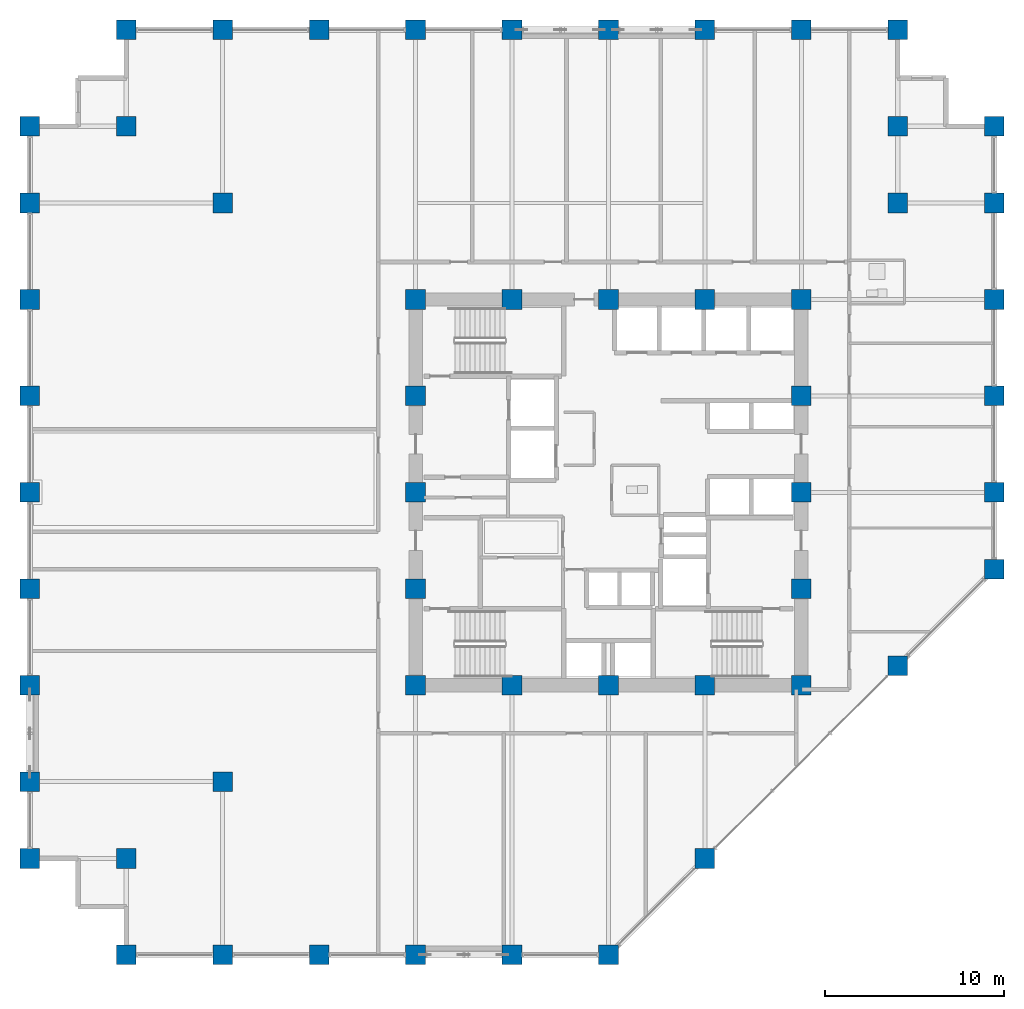
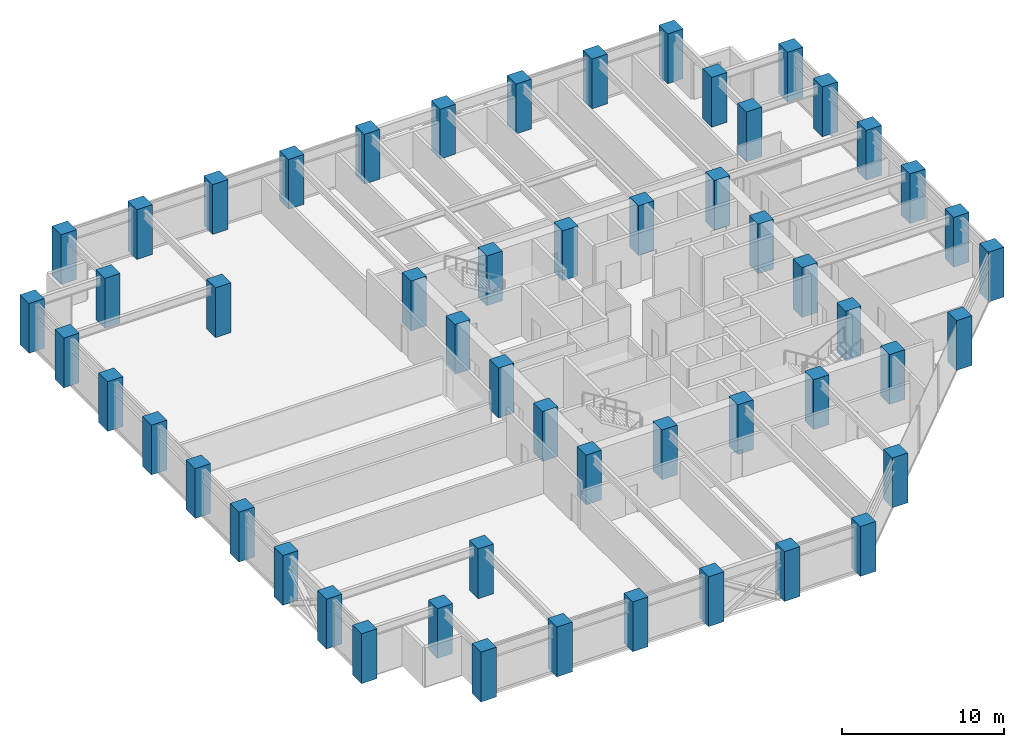
# One storey, part 1 of 25: 54 columns.
"""IFC4 building model written with IfcOpenShell, lengths in metres."""

from ifc_helpers import new_model, si_unit, direction, frame, origin, origin_2d, place, context, subcontext, project, spatial, rectangle, extrude, material, material_profile, profile_set, type_object, element, save


model = new_model("IFC4")

# Units and contexts
model_context = context("Model", 3, precision=1e-05, world=origin(), true_north=direction((0.0, 1.0)))
body_context = subcontext(model_context, "Body", "Model", "MODEL_VIEW")
ifc_project = project(units=[si_unit("LENGTHUNIT", "METRE"), si_unit("AREAUNIT", "SQUARE_METRE"), si_unit("VOLUMEUNIT", "CUBIC_METRE"), si_unit("PLANEANGLEUNIT", "RADIAN"), si_unit("MASSUNIT", "GRAM", prefix="KILO")], contexts=[model_context])

# Site, building, storey
site_placement = place(None, origin())
site = spatial("IfcSite", under=ifc_project, at=site_placement, CompositionType="ELEMENT")
building_placement = place(site_placement, origin())
building = spatial("IfcBuilding", under=site, at=building_placement, Name="Surkhivell Harbour Commons", CompositionType="ELEMENT")
storey_placement = place(building_placement, frame((0.0, 0.0, 124.5)))
storey = spatial("IfcBuildingStorey", under=building, at=storey_placement, Name="L32", CompositionType="ELEMENT", Elevation=124.5)

# Columns
ifc_material = material(Name="Concrete C60/75", Category="concrete")
ifc_material_profile = material_profile(ifc_material, rectangle(XDim=1.10009765625, YDim=1.10009765625, at=origin_2d()), Name="RC-COL-1100x1100")
ifc_profile_set = profile_set([ifc_material_profile], Name="Concrete C60/75")
column_type = type_object("IfcColumnType", Name="COL-TUBE-Z2A", PredefinedType="COLUMN", material=ifc_profile_set)
for number, where, z_axis, x_axis, name in (
    (1, (-32.39990234375, -20.5, 0.0), (0.0, 0.0, 1.0), (1.0, 0.0, 0.0), "L32 Column CT-2A (-32.4,-20.5)"),
    (2, (-32.39990234375, -16.199951171875, 0.0), (0.0, 0.0, 1.0), (1.0, 0.0, 0.0), "L32 Column CT-2A (-32.4,-16.2)"),
    (3, (-32.39990234375, -10.800048828125, 0.0), (0.0, 0.0, 1.0), (1.0, 0.0, 0.0), "L32 Column CT-2A (-32.4,-10.8)"),
    (4, (-32.39990234375, -5.39990234375, 0.0), (0.0, 0.0, 1.0), (1.0, 0.0, 0.0), "L32 Column CT-2A (-32.4,-5.4)"),
    (5, (-32.39990234375, 0.0, 0.0), (0.0, 0.0, 1.0), (1.0, 0.0, 0.0), "L32 Column CT-2A (-32.4,0.0)"),
    (6, (-32.39990234375, 5.39990234375, 0.0), (0.0, 0.0, 1.0), (1.0, 0.0, 0.0), "L32 Column CT-2A (-32.4,5.4)"),
    (7, (-32.39990234375, 10.800048828125, 0.0), (0.0, 0.0, 1.0), (1.0, 0.0, 0.0), "L32 Column CT-2A (-32.4,10.8)"),
    (8, (-32.39990234375, 16.199951171875, 0.0), (0.0, 0.0, 1.0), (1.0, 0.0, 0.0), "L32 Column CT-2A (-32.4,16.2)"),
    (9, (-32.39990234375, 20.5, 0.0), (0.0, 0.0, 1.0), (1.0, 0.0, 0.0), "L32 Column CT-2A (-32.4,20.5)"),
    (10, (-27.0, -25.89990234375, 0.0), (0.0, 0.0, 1.0), (1.0, 0.0, 0.0), "L32 Column CT-2A (-27.0,-25.9)"),
    (11, (-27.0, -20.5, 0.0), (0.0, 0.0, 1.0), (1.0, 0.0, 0.0), "L32 Column CT-2A (-27.0,-20.5)"),
    (12, (-27.0, 20.5, 0.0), (0.0, 0.0, 1.0), (1.0, 0.0, 0.0), "L32 Column CT-2A (-27.0,20.5)"),
    (13, (-27.0, 25.89990234375, 0.0), (0.0, 0.0, 1.0), (1.0, 0.0, 0.0), "L32 Column CT-2A (-27.0,25.9)"),
    (14, (-21.60009765625, -25.89990234375, 0.0), (0.0, 0.0, 1.0), (1.0, 0.0, 0.0), "L32 Column CT-2A (-21.6,-25.9)"),
    (15, (-21.60009765625, -16.199951171875, 0.0), (0.0, 0.0, 1.0), (1.0, 0.0, 0.0), "L32 Column CT-2A (-21.6,-16.2)"),
    (16, (-21.60009765625, 16.199951171875, 0.0), (0.0, 0.0, 1.0), (1.0, 0.0, 0.0), "L32 Column CT-2A (-21.6,16.2)"),
    (17, (-21.60009765625, 25.89990234375, 0.0), (0.0, 0.0, 1.0), (1.0, 0.0, 0.0), "L32 Column CT-2A (-21.6,25.9)"),
    (18, (-16.199951171875, -25.89990234375, 0.0), (0.0, 0.0, 1.0), (1.0, 0.0, 0.0), "L32 Column CT-2A (-16.2,-25.9)"),
    (19, (-16.199951171875, 25.89990234375, 0.0), (0.0, 0.0, 1.0), (1.0, 0.0, 0.0), "L32 Column CT-2A (-16.2,25.9)"),
    (20, (-10.800048828125, -25.89990234375, 0.0), (0.0, 0.0, 1.0), (1.0, 0.0, 0.0), "L32 Column CT-2A (-10.8,-25.9)"),
    (21, (-10.800048828125, -10.800048828125, 0.0), (0.0, 0.0, 1.0), (1.0, 0.0, 0.0), "L32 Column CT-2A (-10.8,-10.8)"),
    (22, (-10.800048828125, -5.39990234375, 0.0), (0.0, 0.0, 1.0), (1.0, 0.0, 0.0), "L32 Column CT-2A (-10.8,-5.4)"),
    (23, (-10.800048828125, 0.0, 0.0), (0.0, 0.0, 1.0), (1.0, 0.0, 0.0), "L32 Column CT-2A (-10.8,0.0)"),
    (24, (-10.800048828125, 5.39990234375, 0.0), (0.0, 0.0, 1.0), (1.0, 0.0, 0.0), "L32 Column CT-2A (-10.8,5.4)"),
    (25, (-10.800048828125, 10.800048828125, 0.0), (0.0, 0.0, 1.0), (1.0, 0.0, 0.0), "L32 Column CT-2A (-10.8,10.8)"),
    (26, (-10.800048828125, 25.89990234375, 0.0), (0.0, 0.0, 1.0), (1.0, 0.0, 0.0), "L32 Column CT-2A (-10.8,25.9)"),
    (27, (-5.39990234375, -25.89990234375, 0.0), (0.0, 0.0, 1.0), (1.0, 0.0, 0.0), "L32 Column CT-2A (-5.4,-25.9)"),
    (28, (-5.39990234375, -10.800048828125, 0.0), (0.0, 0.0, 1.0), (1.0, 0.0, 0.0), "L32 Column CT-2A (-5.4,-10.8)"),
    (29, (-5.39990234375, 10.800048828125, 0.0), (0.0, 0.0, 1.0), (1.0, 0.0, 0.0), "L32 Column CT-2A (-5.4,10.8)"),
    (30, (-5.39990234375, 25.89990234375, 0.0), (0.0, 0.0, 1.0), (1.0, 0.0, 0.0), "L32 Column CT-2A (-5.4,25.9)"),
    (31, (0.0, -25.89990234375, 0.0), (0.0, 0.0, 1.0), (1.0, 0.0, 0.0), "L32 Column CT-2A (-0.0,-25.9)"),
    (32, (0.0, -10.800048828125, 0.0), (0.0, 0.0, 1.0), (1.0, 0.0, 0.0), "L32 Column CT-2A (0.0,-10.8)"),
    (33, (0.0, 10.800048828125, 0.0), (0.0, 0.0, 1.0), (1.0, 0.0, 0.0), "L32 Column CT-2A (0.0,10.8)"),
    (34, (0.0, 25.89990234375, 0.0), (0.0, 0.0, 1.0), (1.0, 0.0, 0.0), "L32 Column CT-2A (-0.0,25.9)"),
    (35, (5.39990234375, -20.5, 0.0), (0.0, 0.0, 1.0), (1.0, 0.0, 0.0), "L32 Column CT-2A (5.4,-20.5)"),
    (36, (5.39990234375, -10.800048828125, 0.0), (0.0, 0.0, 1.0), (1.0, 0.0, 0.0), "L32 Column CT-2A (5.4,-10.8)"),
    (37, (5.39990234375, 10.800048828125, 0.0), (0.0, 0.0, 1.0), (1.0, 0.0, 0.0), "L32 Column CT-2A (5.4,10.8)"),
    (38, (5.39990234375, 25.89990234375, 0.0), (0.0, 0.0, 1.0), (1.0, 0.0, 0.0), "L32 Column CT-2A (5.4,25.9)"),
    (39, (10.800048828125, -10.800048828125, 0.0), (0.0, 0.0, 1.0), (1.0, 0.0, 0.0), "L32 Column CT-2A (10.8,-10.8)"),
    (40, (10.800048828125, -5.39990234375, 0.0), (0.0, 0.0, 1.0), (1.0, 0.0, 0.0), "L32 Column CT-2A (10.8,-5.4)"),
    (41, (10.800048828125, 0.0, 0.0), (0.0, 0.0, 1.0), (1.0, 0.0, 0.0), "L32 Column CT-2A (10.8,0.0)"),
    (42, (10.800048828125, 5.39990234375, 0.0), (0.0, 0.0, 1.0), (1.0, 0.0, 0.0), "L32 Column CT-2A (10.8,5.4)"),
    (43, (10.800048828125, 10.800048828125, 0.0), (0.0, 0.0, 1.0), (1.0, 0.0, 0.0), "L32 Column CT-2A (10.8,10.8)"),
    (44, (10.800048828125, 25.89990234375, 0.0), (0.0, 0.0, 1.0), (1.0, 0.0, 0.0), "L32 Column CT-2A (10.8,25.9)"),
    (45, (16.199951171875, -9.699951171875, 0.0), (0.0, 0.0, 1.0), (1.0, 0.0, 0.0), "L32 Column CT-2A (16.2,-9.7)"),
    (46, (16.199951171875, 16.199951171875, 0.0), (0.0, 0.0, 1.0), (1.0, 0.0, 0.0), "L32 Column CT-2A (16.2,16.2)"),
    (47, (16.199951171875, 20.5, 0.0), (0.0, 0.0, 1.0), (1.0, 0.0, 0.0), "L32 Column CT-2A (16.2,20.5)"),
    (48, (16.199951171875, 25.89990234375, 0.0), (0.0, 0.0, 1.0), (1.0, 0.0, 0.0), "L32 Column CT-2A (16.2,25.9)"),
    (49, (21.60009765625, -4.300048828125, 0.0), (0.0, 0.0, 1.0), (1.0, 0.0, 0.0), "L32 Column CT-2A (21.6,-4.3)"),
    (50, (21.60009765625, 0.0, 0.0), (0.0, 0.0, 1.0), (1.0, 0.0, 0.0), "L32 Column CT-2A (21.6,0.0)"),
    (51, (21.60009765625, 5.39990234375, 0.0), (0.0, 0.0, 1.0), (1.0, 0.0, 0.0), "L32 Column CT-2A (21.6,5.4)"),
    (52, (21.60009765625, 10.800048828125, 0.0), (0.0, 0.0, 1.0), (1.0, 0.0, 0.0), "L32 Column CT-2A (21.6,10.8)"),
    (53, (21.60009765625, 16.199951171875, 0.0), (0.0, 0.0, 1.0), (1.0, 0.0, 0.0), "L32 Column CT-2A (21.6,16.2)"),
    (54, (21.60009765625, 20.5, 0.0), (0.0, 0.0, 1.0), (1.0, 0.0, 0.0), "L32 Column CT-2A (21.6,20.5)"),
):
    element("IfcColumn", number, at=place(storey_placement, frame(where, z_axis=z_axis, x_axis=x_axis)), inside=storey, type_object=column_type, Name=name, PredefinedType="COLUMN", context=body_context, shape_type="SweptSolid", body=[
        extrude(rectangle(XDim=1.10009765625, YDim=1.10009765625, at=origin_2d()), origin(), (0.0, 0.0, 1.0), 3.75),
    ])

save(model, "model.ifc")
